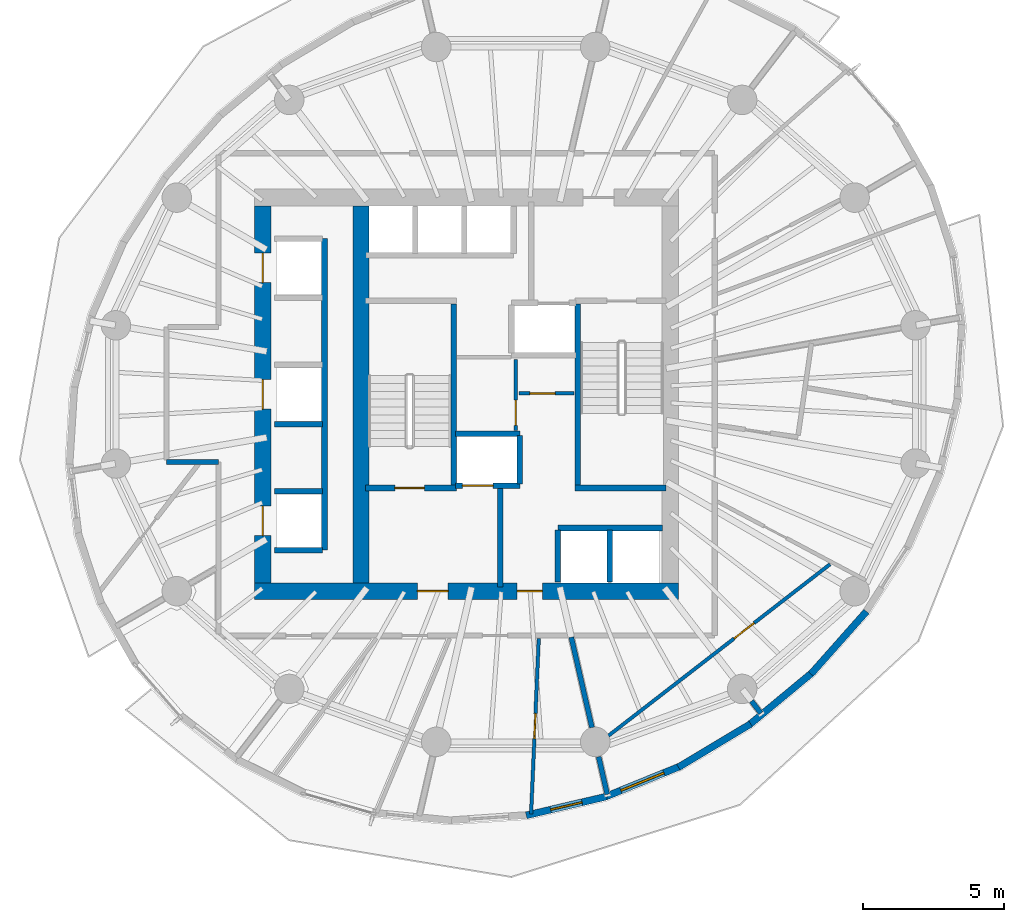
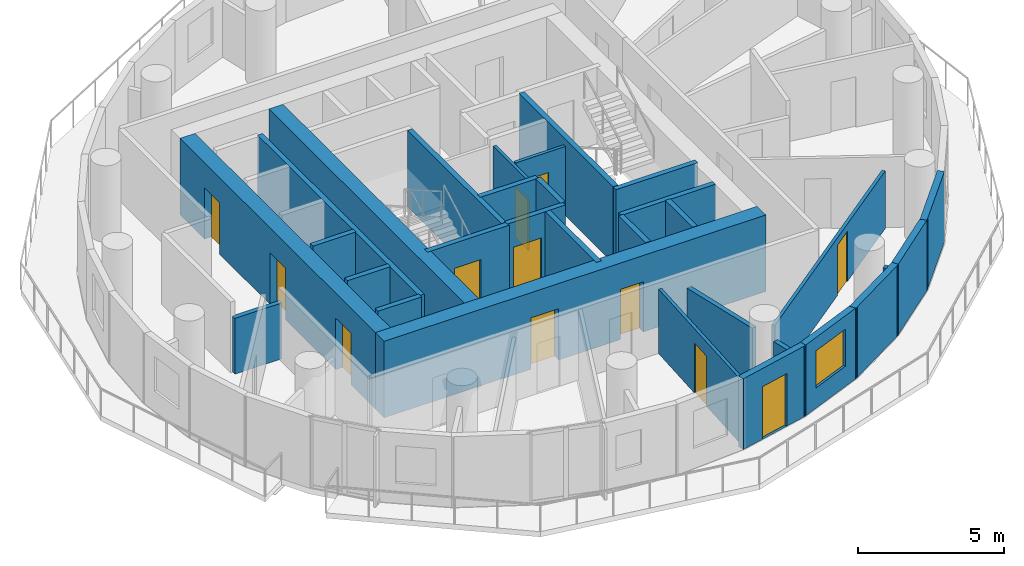
# One storey, part 5 of 12: 31 walls, 12 doors, 1 window, 13 openings.
"""IFC4 building model written with IfcOpenShell, lengths in metres."""

from ifc_helpers import new_model, si_unit, direction, frame, frame_2d, origin, place, context, subcontext, project, spatial, rectangle, extrude, material, layer, layer_set, type_object, element, fill, save


model = new_model("IFC4")

# Units and contexts
model_context = context("Model", 3, precision=1e-05, world=origin(), true_north=direction((0.0, 1.0)))
body_context = subcontext(model_context, "Body", "Model", "MODEL_VIEW")
ifc_project = project(units=[si_unit("LENGTHUNIT", "METRE"), si_unit("AREAUNIT", "SQUARE_METRE"), si_unit("VOLUMEUNIT", "CUBIC_METRE"), si_unit("PLANEANGLEUNIT", "RADIAN"), si_unit("MASSUNIT", "GRAM", prefix="KILO")], contexts=[model_context])

# Site, building, storey
site_placement = place(None, origin())
site = spatial("IfcSite", under=ifc_project, at=site_placement, CompositionType="ELEMENT")
building_placement = place(site_placement, origin())
building = spatial("IfcBuilding", under=site, at=building_placement, Name="Veldorim Arch Residences", CompositionType="ELEMENT")
storey_placement = place(building_placement, frame((0.0, 0.0, 145.760009765625)))
storey = spatial("IfcBuildingStorey", under=building, at=storey_placement, Name="L43", CompositionType="ELEMENT", Elevation=145.760009765625)

# Wall, opening, door
ifc_material_1 = material(Name="Acoustic Gypsum Board", Category="gypsum")
ifc_layer_1 = layer(ifc_material_1, 0.125, Name="Acoustic Stud Room Partition Wall 125")
ifc_layer_set_1 = layer_set([ifc_layer_1], Name="Acoustic Gypsum Board")
wall_type_1 = type_object("IfcWallType", Name="Acoustic Stud Room Partition Wall 125", PredefinedType="PARTITIONING", material=ifc_layer_set_1)
wall_1_placement = place(storey_placement, frame((32.0, 22.719970703125, 0.0), z_axis=(0.0, 0.0, 1.0), x_axis=(0.0, 1.0, 0.0)))
wall_1 = element("IfcWall", 1, at=wall_1_placement, inside=storey, type_object=wall_type_1, Name="L43 interior wall WL-CA-L43-1", PredefinedType="PARTITIONING", context=body_context, shape_type="SweptSolid", body=[
    extrude(rectangle(XDim=2.52001953125, YDim=0.125, at=frame_2d((1.260009765625, 0.0))), origin(), (0.0, 0.0, 1.0), 2.955078125),
])
opening_1_placement = place(wall_1_placement, frame((0.179931640625, 0.0, 0.0)))
opening_1 = element("IfcOpeningElement", 2, at=opening_1_placement, cuts=wall_1, Name="Opening DR-SVC", PredefinedType="OPENING", context=body_context, shape_type="SweptSolid", body=[
    extrude(rectangle(XDim=0.89990234375, YDim=2.10009765625, at=frame_2d((0.449951171875, 1.050048828125))), frame((0.0, 0.072509765625, 0.0), z_axis=(0.0, -1.0, 0.0), x_axis=(1.0, 0.0, 0.0)), (0.0, 0.0, 1.0), 0.14501953125),
])
ifc_material_2 = material(Name="Fire-Rated Steel", Category="steel")
door_type_1 = type_object("IfcDoorType", Name="Riser, Shelter & Plant Room Rated Steel Door 900x2100", OperationType="SINGLE_SWING_LEFT", PredefinedType="DOOR", material=ifc_material_2)
door_1_placement = place(opening_1_placement, origin())
door_1 = element("IfcDoor", 3, at=door_1_placement, inside=storey, type_object=door_type_1, Name="L43 interior door DR-L43-CA2", OperationType="SINGLE_SWING_RIGHT", OverallHeight=2.10009765625, OverallWidth=0.89990234375, PredefinedType="DOOR", context=body_context, shape_type="SweptSolid", body=[
    extrude(rectangle(XDim=0.89990234375, YDim=2.10009765625, at=frame_2d((0.449951171875, 1.050048828125))), frame((0.0, 0.02490234375, 0.0), z_axis=(0.0, -1.0, 0.0), x_axis=(1.0, 0.0, 0.0)), (0.0, 0.0, 1.0), 0.050048828125),
])
fill(opening_1, door_1)

wall_2_placement = place(storey_placement, frame((32.110107421875, 24.0400390625, 0.0), z_axis=(0.0, 0.0, 1.0), x_axis=(1.0, 0.0, 0.0)))
wall_2 = element("IfcWall", 4, at=wall_2_placement, inside=storey, type_object=wall_type_1, Name="L43 interior wall WL-CA-L43-3", PredefinedType="PARTITIONING", context=body_context, shape_type="SweptSolid", body=[
    extrude(rectangle(XDim=1.969970703125, YDim=0.125, at=frame_2d((0.98486328125, 0.0))), origin(), (0.0, 0.0, 1.0), 2.955078125),
])
opening_2_placement = place(wall_2_placement, frame((0.389892578125, 0.0, 0.0)))
opening_2 = element("IfcOpeningElement", 5, at=opening_2_placement, cuts=wall_2, Name="Opening DR-INT", PredefinedType="OPENING", context=body_context, shape_type="SweptSolid", body=[
    extrude(rectangle(XDim=0.89990234375, YDim=2.10009765625, at=frame_2d((0.449951171875, 1.050048828125))), frame((0.0, 0.072509765625, 0.0), z_axis=(0.0, -1.0, 0.0), x_axis=(1.0, 0.0, 0.0)), (0.0, 0.0, 1.0), 0.14501953125),
])
ifc_material_3 = material(Name="Engineered Timber", Category="wood")
door_type_2 = type_object("IfcDoorType", Name="Apartment Internal Room Timber Door 900x2100", OperationType="SINGLE_SWING_LEFT", PredefinedType="DOOR", material=ifc_material_3)
door_2_placement = place(opening_2_placement, origin())
door_2 = element("IfcDoor", 6, at=door_2_placement, inside=storey, type_object=door_type_2, Name="L43 interior door DR-L43-CA1", OperationType="SINGLE_SWING_LEFT", OverallHeight=2.10009765625, OverallWidth=0.89990234375, PredefinedType="DOOR", context=body_context, shape_type="SweptSolid", body=[
    extrude(rectangle(XDim=0.89990234375, YDim=2.10009765625, at=frame_2d((0.449951171875, 1.050048828125))), frame((0.0, 0.02490234375, 0.0), z_axis=(0.0, -1.0, 0.0), x_axis=(1.0, 0.0, 0.0)), (0.0, 0.0, 1.0), 0.050048828125),
])
fill(opening_2, door_2)

wall_3_placement = place(storey_placement, frame((32.82080078125, 15.320068359375, 0.0), z_axis=(0.0, 0.0, 1.0), x_axis=(-0.043813760095, -0.999039716141, 0.0)))
wall_3 = element("IfcWall", 7, at=wall_3_placement, inside=storey, type_object=wall_type_1, Name="L43 interior wall WL-RES-L43-011", PredefinedType="PARTITIONING", context=body_context, shape_type="SweptSolid", body=[
    extrude(rectangle(XDim=6.24658203125, YDim=0.125, at=frame_2d((3.123291015625, 0.0))), origin(), (0.0, 0.0, 1.0), 2.69189453125),
])
opening_3_placement = place(wall_3_placement, frame((2.67333984375, 0.0, 0.0)))
opening_3 = element("IfcOpeningElement", 8, at=opening_3_placement, cuts=wall_3, Name="Opening DR-INT", PredefinedType="OPENING", context=body_context, shape_type="SweptSolid", body=[
    extrude(rectangle(XDim=0.89990234375, YDim=2.10009765625, at=frame_2d((0.449951171875, 1.050048828125))), frame((0.0, 0.072509765625, 0.0), z_axis=(0.0, -1.0, 0.0), x_axis=(1.0, 0.0, 0.0)), (0.0, 0.0, 1.0), 0.14501953125),
])
door_3_placement = place(opening_3_placement, origin())
door_3 = element("IfcDoor", 9, at=door_3_placement, inside=storey, type_object=door_type_2, Name="L43 interior door DR-RES-L43-004", OperationType="SINGLE_SWING_RIGHT", OverallHeight=2.10009765625, OverallWidth=0.89990234375, PredefinedType="DOOR", context=body_context, shape_type="SweptSolid", body=[
    extrude(rectangle(XDim=0.89990234375, YDim=2.10009765625, at=frame_2d((0.449951171875, 1.050048828125))), frame((0.0, 0.02490234375, 0.0), z_axis=(0.0, -1.0, 0.0), x_axis=(1.0, 0.0, 0.0)), (0.0, 0.0, 1.0), 0.050048828125),
])
fill(opening_3, door_3)

wall_4_placement = place(storey_placement, frame((43.18408203125, 17.959716796875, 0.0), z_axis=(0.0, 0.0, 1.0), x_axis=(-0.790862802872, -0.611993486104, 0.0)))
wall_4 = element("IfcWall", 10, at=wall_4_placement, inside=storey, type_object=wall_type_1, Name="L43 interior wall WL-RES-L43-020", PredefinedType="PARTITIONING", context=body_context, shape_type="SweptSolid", body=[
    extrude(rectangle(XDim=9.974853515625, YDim=0.125, at=frame_2d((4.9873046875, 0.0))), origin(), (0.0, 0.0, 1.0), 2.411376953125),
])
opening_4_placement = place(wall_4_placement, frame((3.417236328125, 0.0, 0.0)))
opening_4 = element("IfcOpeningElement", 11, at=opening_4_placement, cuts=wall_4, Name="Opening DR-INT", PredefinedType="OPENING", context=body_context, shape_type="SweptSolid", body=[
    extrude(rectangle(XDim=0.89990234375, YDim=2.10009765625, at=frame_2d((0.449951171875, 1.050048828125))), frame((0.0, 0.072509765625, 0.0), z_axis=(0.0, -1.0, 0.0), x_axis=(1.0, 0.0, 0.0)), (0.0, 0.0, 1.0), 0.14501953125),
])
door_4_placement = place(opening_4_placement, origin())
door_4 = element("IfcDoor", 12, at=door_4_placement, inside=storey, type_object=door_type_2, Name="L43 interior door DR-RES-L43-008", OperationType="SINGLE_SWING_RIGHT", OverallHeight=2.10009765625, OverallWidth=0.89990234375, PredefinedType="DOOR", context=body_context, shape_type="SweptSolid", body=[
    extrude(rectangle(XDim=0.89990234375, YDim=2.10009765625, at=frame_2d((0.449951171875, 1.050048828125))), frame((0.0, 0.02490234375, 0.0), z_axis=(0.0, -1.0, 0.0), x_axis=(1.0, 0.0, 0.0)), (0.0, 0.0, 1.0), 0.050048828125),
])
fill(opening_4, door_4)

# Walls
ifc_material_4 = material(Name="Lightweight Masonry Block & Gypsum", Category="masonry")
ifc_layer_2 = layer(ifc_material_4, 0.179931640625, Name="Compartment & Corridor Fire-Rated Party Wall 180")
ifc_layer_set_2 = layer_set([ifc_layer_2], Name="Lightweight Masonry Block & Gypsum")
wall_type_2 = type_object("IfcWallType", Name="Compartment & Corridor Fire-Rated Party Wall 180", PredefinedType="PARTITIONING", material=ifc_layer_set_2)
wall_5_placement = place(storey_placement, frame((34.950439453125, 11.11083984375, 0.0), z_axis=(0.0, 0.0, 1.0), x_axis=(0.223027623572, -0.974812125039, 0.0)))
element("IfcWall", 13, at=wall_5_placement, inside=storey, type_object=wall_type_2, Name="L43 interior wall WL-PIER-L43-13", PredefinedType="PARTITIONING", context=body_context, shape_type="SweptSolid", body=[
    extrude(rectangle(XDim=1.372802734375, YDim=0.179931640625, at=frame_2d((0.6865234375, 0.0))), origin(), (0.0, 0.0, 1.0), 2.335693359375),
])
wall_6_placement = place(storey_placement, frame((40.387939453125, 13.091552734375, 0.0), z_axis=(0.0, 0.0, 1.0), x_axis=(0.6096676216, -0.792657171275, 0.0)))
element("IfcWall", 14, at=wall_6_placement, inside=storey, type_object=wall_type_2, Name="L43 interior wall WL-PIER-L43-14", PredefinedType="PARTITIONING", context=body_context, shape_type="SweptSolid", body=[
    extrude(rectangle(XDim=0.547119140625, YDim=0.179931640625, at=frame_2d((0.2734375, 0.0))), origin(), (0.0, 0.0, 1.0), 2.335693359375),
])
wall_7_placement = place(storey_placement, frame((21.419921875, 21.60009765625, 0.0), z_axis=(0.0, 0.0, 1.0), x_axis=(-1.0, 0.0, 0.0)))
element("IfcWall", 15, at=wall_7_placement, inside=storey, type_object=wall_type_2, Name="L43 interior wall WL-RES-L43-006", PredefinedType="PARTITIONING", context=body_context, shape_type="SweptSolid", body=[
    extrude(rectangle(XDim=1.849853515625, YDim=0.179931640625, at=frame_2d((0.9248046875, 0.0))), origin(), (0.0, 0.0, 1.0), 2.335693359375),
])
wall_8_placement = place(storey_placement, frame((33.977294921875, 15.361572265625, 0.0), z_axis=(0.0, 0.0, 1.0), x_axis=(0.22319287001, -0.974774303506, 0.0)))
element("IfcWall", 16, at=wall_8_placement, inside=storey, type_object=wall_type_2, Name="L43 interior wall WL-RES-L43-014", PredefinedType="PARTITIONING", context=body_context, shape_type="SweptSolid", body=[
    extrude(rectangle(XDim=3.2958984375, YDim=0.179931640625, at=frame_2d((1.64794921875, 0.0))), origin(), (0.0, 0.0, 1.0), 2.335693359375),
])
ifc_material_5 = material(Name="Concrete C50/60", Category="concrete")
ifc_layer_3 = layer(ifc_material_5, 0.199951171875, Name="Core Stair & Lift Shaft Enclosure Wall 200")
ifc_layer_set_3 = layer_set([ifc_layer_3], Name="Concrete C50/60")
wall_type_3 = type_object("IfcWallType", Name="Core Stair & Lift Shaft Enclosure Wall 200", PredefinedType="SHEAR", material=ifc_layer_set_3)
wall_9_placement = place(storey_placement, frame((29.7900390625, 20.780029296875, 0.0), z_axis=(0.0, 0.0, 1.0), x_axis=(0.0, 1.0, 0.0)))
element("IfcWall", 17, at=wall_9_placement, inside=storey, type_object=wall_type_3, Name="L43 shaft wall WL-SHF-L43-ST1-E", PredefinedType="SHEAR", context=body_context, shape_type="SweptSolid", body=[
    extrude(rectangle(XDim=6.43994140625, YDim=0.199951171875, at=frame_2d((3.219970703125, 0.0))), origin(), (0.0, 0.0, 1.0), 3.199951171875),
])

# Wall, opening, door
wall_10_placement = place(storey_placement, frame((26.64990234375, 20.669921875, 0.0), z_axis=(0.0, 0.0, 1.0), x_axis=(1.0, 0.0, 0.0)))
wall_10 = element("IfcWall", 18, at=wall_10_placement, inside=storey, type_object=wall_type_3, Name="L43 shaft wall WL-SHF-L43-ST1-S", PredefinedType="SHEAR", context=body_context, shape_type="SweptSolid", body=[
    extrude(rectangle(XDim=3.239990234375, YDim=0.199951171875, at=frame_2d((1.6201171875, 0.0))), origin(), (0.0, 0.0, 1.0), 3.199951171875),
])
opening_5_placement = place(wall_10_placement, frame((1.054931640625, 0.0, 0.0)))
opening_5 = element("IfcOpeningElement", 19, at=opening_5_placement, cuts=wall_10, Name="Opening DR-ST", PredefinedType="OPENING", context=body_context, shape_type="SweptSolid", body=[
    extrude(rectangle(XDim=1.050048828125, YDim=2.14990234375, at=frame_2d((0.52490234375, 1.074951171875))), frame((0.0, 0.10986328125, 0.0), z_axis=(0.0, -1.0, 0.0), x_axis=(1.0, 0.0, 0.0)), (0.0, 0.0, 1.0), 0.219970703125),
])
ifc_material_6 = material(Name="Fire-Rated Steel", Category="steel")
door_type_3 = type_object("IfcDoorType", Name="Exit Staircase Self-Closing Fire Door 1050x2150", OperationType="SINGLE_SWING_LEFT", PredefinedType="DOOR", material=ifc_material_6)
door_5_placement = place(opening_5_placement, origin())
door_5 = element("IfcDoor", 20, at=door_5_placement, inside=storey, type_object=door_type_3, Name="L43 interior door DR-L43-ST1", OperationType="SINGLE_SWING_LEFT", OverallHeight=2.14990234375, OverallWidth=1.050048828125, PredefinedType="DOOR", context=body_context, shape_type="SweptSolid", body=[
    extrude(rectangle(XDim=1.050048828125, YDim=2.14990234375, at=frame_2d((0.52490234375, 1.074951171875))), frame((0.0, 0.02490234375, 0.0), z_axis=(0.0, -1.0, 0.0), x_axis=(1.0, 0.0, 0.0)), (0.0, 0.0, 1.0), 0.050048828125),
])
fill(opening_5, door_5)

# Walls
wall_11_placement = place(storey_placement, frame((34.2099609375, 20.780029296875, 0.0), z_axis=(0.0, 0.0, 1.0), x_axis=(0.0, 1.0, 0.0)))
element("IfcWall", 21, at=wall_11_placement, inside=storey, type_object=wall_type_3, Name="L43 shaft wall WL-SHF-L43-ST2-W", PredefinedType="SHEAR", context=body_context, shape_type="SweptSolid", body=[
    extrude(rectangle(XDim=6.43994140625, YDim=0.199951171875, at=frame_2d((3.219970703125, 0.0))), origin(), (0.0, 0.0, 1.0), 3.199951171875),
])
wall_12_placement = place(storey_placement, frame((34.110107421875, 20.669921875, 0.0), z_axis=(0.0, 0.0, 1.0), x_axis=(1.0, 0.0, 0.0)))
element("IfcWall", 22, at=wall_12_placement, inside=storey, type_object=wall_type_3, Name="L43 shaft wall WL-SHF-L43-ST2-S", PredefinedType="SHEAR", context=body_context, shape_type="SweptSolid", body=[
    extrude(rectangle(XDim=3.239990234375, YDim=0.199951171875, at=frame_2d((1.6201171875, 0.0))), origin(), (0.0, 0.0, 1.0), 3.199951171875),
])
wall_13_placement = place(storey_placement, frame((31.449951171875, 17.14990234375, 0.0), z_axis=(0.0, 0.0, 1.0), x_axis=(0.0, 1.0, 0.0)))
element("IfcWall", 23, at=wall_13_placement, inside=storey, type_object=wall_type_3, Name="L43 shaft wall WL-FFL1-L43-E", PredefinedType="SHEAR", context=body_context, shape_type="SweptSolid", body=[
    extrude(rectangle(XDim=3.5, YDim=0.199951171875, at=frame_2d((1.75, 0.0))), origin(), (0.0, 0.0, 1.0), 3.199951171875),
])

# Wall, opening, door
wall_14_placement = place(storey_placement, frame((29.85009765625, 20.75, 0.0), z_axis=(0.0, 0.0, 1.0), x_axis=(1.0, 0.0, 0.0)))
wall_14 = element("IfcWall", 24, at=wall_14_placement, inside=storey, type_object=wall_type_3, Name="L43 shaft wall WL-FL01-L43-S", PredefinedType="SHEAR", context=body_context, shape_type="SweptSolid", body=[
    extrude(rectangle(XDim=2.2998046875, YDim=0.199951171875, at=frame_2d((1.14990234375, 0.0))), origin(), (0.0, 0.0, 1.0), 3.199951171875),
])
opening_6_placement = place(wall_14_placement, frame((0.25, 0.0, 0.0)))
opening_6 = element("IfcOpeningElement", 25, at=opening_6_placement, cuts=wall_14, Name="Opening LD-FF", PredefinedType="OPENING", context=body_context, shape_type="SweptSolid", body=[
    extrude(rectangle(XDim=1.10009765625, YDim=2.14990234375, at=frame_2d((0.550048828125, 1.074951171875))), frame((0.0, 0.10986328125, 0.0), z_axis=(0.0, -1.0, 0.0), x_axis=(1.0, 0.0, 0.0)), (0.0, 0.0, 1.0), 0.219970703125),
])
ifc_material_7 = material(Name="Stainless Steel", Category="steel")
door_type_4 = type_object("IfcDoorType", Name="Firefighting Lift Bi-Parting Sliding Landing Door 1100x2150", OperationType="DOUBLE_DOOR_SLIDING", PredefinedType="DOOR", material=ifc_material_7)
door_6_placement = place(opening_6_placement, origin())
door_6 = element("IfcDoor", 26, at=door_6_placement, inside=storey, type_object=door_type_4, Name="L43 lift landing door LD-L43-FL01", OperationType="DOUBLE_DOOR_SLIDING", OverallHeight=2.14990234375, OverallWidth=1.10009765625, PredefinedType="DOOR", context=body_context, shape_type="SweptSolid", body=[
    extrude(rectangle(XDim=1.10009765625, YDim=2.14990234375, at=frame_2d((0.550048828125, 1.074951171875))), frame((0.0, 0.02490234375, 0.0), z_axis=(0.0, -1.0, 0.0), x_axis=(1.0, 0.0, 0.0)), (0.0, 0.0, 1.0), 0.050048828125),
])
fill(opening_6, door_6)

# Walls
wall_15_placement = place(storey_placement, frame((29.85009765625, 22.60009765625, 0.0), z_axis=(0.0, 0.0, 1.0), x_axis=(1.0, 0.0, 0.0)))
element("IfcWall", 27, at=wall_15_placement, inside=storey, type_object=wall_type_3, Name="L43 shaft wall WL-FL01-L43-N", PredefinedType="SHEAR", context=body_context, shape_type="SweptSolid", body=[
    extrude(rectangle(XDim=2.2998046875, YDim=0.199951171875, at=frame_2d((1.14990234375, 0.0))), origin(), (0.0, 0.0, 1.0), 3.199951171875),
])
wall_16_placement = place(storey_placement, frame((32.14990234375, 20.820068359375, 0.0), z_axis=(0.0, 0.0, 1.0), x_axis=(0.0, 1.0, 0.0)))
element("IfcWall", 28, at=wall_16_placement, inside=storey, type_object=wall_type_3, Name="L43 shaft wall WL-FL01-L43-E", PredefinedType="SHEAR", context=body_context, shape_type="SweptSolid", body=[
    extrude(rectangle(XDim=1.7099609375, YDim=0.199951171875, at=frame_2d((0.85498046875, 0.0))), origin(), (0.0, 0.0, 1.0), 3.199951171875),
])
wall_17_placement = place(storey_placement, frame((25.199951171875, 18.4599609375, 0.0), z_axis=(0.0, 0.0, 1.0), x_axis=(0.0, 1.0, 0.0)))
element("IfcWall", 29, at=wall_17_placement, inside=storey, type_object=wall_type_3, Name="L43 shaft wall WL-B2-L43-E", PredefinedType="SHEAR", context=body_context, shape_type="SweptSolid", body=[
    extrude(rectangle(XDim=11.080078125, YDim=0.199951171875, at=frame_2d((5.5400390625, 0.0))), origin(), (0.0, 0.0, 1.0), 3.199951171875),
])
for number, where, z_axis, x_axis, name in (
    (30, (23.419921875, 18.4599609375, 0.0), (0.0, 0.0, 1.0), (1.0, 0.0, 0.0), "L43 shaft wall WL-B2-L43-S"),
    (31, (23.419921875, 20.56005859375, 0.0), (0.0, 0.0, 1.0), (1.0, 0.0, 0.0), "L43 shaft wall WL-B2-L43-D1A"),
    (32, (23.419921875, 22.93994140625, 0.0), (0.0, 0.0, 1.0), (1.0, 0.0, 0.0), "L43 shaft wall WL-B2-L43-D1B"),
):
    element("IfcWall", number, at=place(storey_placement, frame(where, z_axis=z_axis, x_axis=x_axis)), inside=storey, type_object=wall_type_3, Name=name, PredefinedType="SHEAR", context=body_context, shape_type="SweptSolid", body=[
        extrude(rectangle(XDim=1.7099609375, YDim=0.199951171875, at=frame_2d((0.85498046875, 0.0))), origin(), (0.0, 0.0, 1.0), 3.199951171875),
    ])
wall_18_placement = place(storey_placement, frame((33.5, 19.25, 0.0), z_axis=(0.0, 0.0, 1.0), x_axis=(1.0, 0.0, 0.0)))
element("IfcWall", 33, at=wall_18_placement, inside=storey, type_object=wall_type_3, Name="L43 shaft wall WL-OL-L43-N", PredefinedType="SHEAR", context=body_context, shape_type="SweptSolid", body=[
    extrude(rectangle(XDim=3.719970703125, YDim=0.199951171875, at=frame_2d((1.85986328125, 0.0))), origin(), (0.0, 0.0, 1.0), 3.199951171875),
])
for number, where, z_axis, x_axis, name in (
    (34, (33.5, 17.320068359375, 0.0), (0.0, 0.0, 1.0), (0.0, 1.0, 0.0), "L43 shaft wall WL-OL-L43-W"),
    (35, (35.35009765625, 17.320068359375, 0.0), (0.0, 0.0, 1.0), (0.0, 1.0, 0.0), "L43 shaft wall WL-OL-L43-D1"),
):
    element("IfcWall", number, at=place(storey_placement, frame(where, z_axis=z_axis, x_axis=x_axis)), inside=storey, type_object=wall_type_3, Name=name, PredefinedType="SHEAR", context=body_context, shape_type="SweptSolid", body=[
        extrude(rectangle(XDim=1.85986328125, YDim=0.199951171875, at=frame_2d((0.929931640625, 0.0))), origin(), (0.0, 0.0, 1.0), 3.199951171875),
    ])

# Wall, openings, doors
ifc_material_8 = material(Name="Concrete C50/60", Category="concrete")
ifc_layer_4 = layer(ifc_material_8, 0.60009765625, Name="Mid-Upper Central Core Shear Wall 600")
ifc_layer_set_4 = layer_set([ifc_layer_4], Name="Concrete C50/60")
wall_type_4 = type_object("IfcWallType", Name="Mid-Upper Central Core Shear Wall 600", PredefinedType="SHEAR", material=ifc_layer_set_4)
wall_19_placement = place(storey_placement, frame((22.699951171875, 17.0, 0.0), z_axis=(0.0, 0.0, 1.0), x_axis=(1.0, 0.0, 0.0)))
wall_19 = element("IfcWall", 36, at=wall_19_placement, inside=storey, type_object=wall_type_4, Name="L43 central core south shear wall", PredefinedType="SHEAR", context=body_context, shape_type="SweptSolid", body=[
    extrude(rectangle(XDim=15.10009765625, YDim=0.60009765625, at=frame_2d((7.550048828125, 0.0))), origin(), (0.0, 0.0, 1.0), 3.199951171875),
])
opening_7_placement = place(wall_19_placement, frame((5.800048828125, 0.0, 0.0)))
opening_7 = element("IfcOpeningElement", 37, at=opening_7_placement, cuts=wall_19, Name="Opening DR-FFL", PredefinedType="OPENING", context=body_context, shape_type="SweptSolid", body=[
    extrude(rectangle(XDim=1.10009765625, YDim=2.14990234375, at=frame_2d((0.550048828125, 1.074951171875))), frame((0.0, 0.31005859375, 0.0), z_axis=(0.0, -1.0, 0.0), x_axis=(1.0, 0.0, 0.0)), (0.0, 0.0, 1.0), 0.6201171875),
])
opening_8_placement = place(wall_19_placement, frame((9.35009765625, 0.0, 0.0)))
opening_8 = element("IfcOpeningElement", 38, at=opening_8_placement, cuts=wall_19, Name="Opening DR-SVC", PredefinedType="OPENING", context=body_context, shape_type="SweptSolid", body=[
    extrude(rectangle(XDim=0.89990234375, YDim=2.10009765625, at=frame_2d((0.449951171875, 1.050048828125))), frame((0.0, 0.31005859375, 0.0), z_axis=(0.0, -1.0, 0.0), x_axis=(1.0, 0.0, 0.0)), (0.0, 0.0, 1.0), 0.6201171875),
])
ifc_material_9 = material(Name="Fire-Rated Steel & Vision Glass", Category="steel")
door_type_5 = type_object("IfcDoorType", Name="Firefighting Lobby Smoke-Stop Fire Door 1100x2150", OperationType="SINGLE_SWING_LEFT", PredefinedType="DOOR", material=ifc_material_9)
door_7_placement = place(opening_7_placement, origin())
door_7 = element("IfcDoor", 39, at=door_7_placement, inside=storey, type_object=door_type_5, Name="L43 interior door DR-L43-FFL1", OperationType="SINGLE_SWING_RIGHT", OverallHeight=2.14990234375, OverallWidth=1.10009765625, PredefinedType="DOOR", context=body_context, shape_type="SweptSolid", body=[
    extrude(rectangle(XDim=1.10009765625, YDim=2.14990234375, at=frame_2d((0.550048828125, 1.074951171875))), frame((0.0, 0.02490234375, 0.0), z_axis=(0.0, -1.0, 0.0), x_axis=(1.0, 0.0, 0.0)), (0.0, 0.0, 1.0), 0.050048828125),
])
fill(opening_7, door_7)
door_8_placement = place(opening_8_placement, origin())
door_8 = element("IfcDoor", 40, at=door_8_placement, inside=storey, type_object=door_type_1, Name="L43 interior door DR-L43-COR-ANC", OperationType="SINGLE_SWING_LEFT", OverallHeight=2.10009765625, OverallWidth=0.89990234375, PredefinedType="DOOR", context=body_context, shape_type="SweptSolid", body=[
    extrude(rectangle(XDim=0.89990234375, YDim=2.10009765625, at=frame_2d((0.449951171875, 1.050048828125))), frame((0.0, 0.02490234375, 0.0), z_axis=(0.0, -1.0, 0.0), x_axis=(1.0, 0.0, 0.0)), (0.0, 0.0, 1.0), 0.050048828125),
])
fill(opening_8, door_8)

wall_20_placement = place(storey_placement, frame((23.0, 17.300048828125, 0.0), z_axis=(0.0, 0.0, 1.0), x_axis=(0.0, 1.0, 0.0)))
wall_20 = element("IfcWall", 41, at=wall_20_placement, inside=storey, type_object=wall_type_4, Name="L43 central core west shear wall", PredefinedType="SHEAR", context=body_context, shape_type="SweptSolid", body=[
    extrude(rectangle(XDim=13.39990234375, YDim=0.60009765625, at=frame_2d((6.699951171875, 0.0))), origin(), (0.0, 0.0, 1.0), 3.199951171875),
])
opening_9_placement = place(wall_20_placement, frame((1.675048828125, 0.0, 0.0)))
opening_9 = element("IfcOpeningElement", 42, at=opening_9_placement, cuts=wall_20, Name="Opening LD-PS", PredefinedType="OPENING", context=body_context, shape_type="SweptSolid", body=[
    extrude(rectangle(XDim=1.050048828125, YDim=2.14990234375, at=frame_2d((0.52490234375, 1.074951171875))), frame((0.0, 0.31005859375, 0.0), z_axis=(0.0, -1.0, 0.0), x_axis=(1.0, 0.0, 0.0)), (0.0, 0.0, 1.0), 0.6201171875),
])
opening_10_placement = place(wall_20_placement, frame((6.175048828125, 0.0, 0.0)))
opening_10 = element("IfcOpeningElement", 43, at=opening_10_placement, cuts=wall_20, Name="Opening LD-PS", PredefinedType="OPENING", context=body_context, shape_type="SweptSolid", body=[
    extrude(rectangle(XDim=1.050048828125, YDim=2.14990234375, at=frame_2d((0.52490234375, 1.074951171875))), frame((0.0, 0.31005859375, 0.0), z_axis=(0.0, -1.0, 0.0), x_axis=(1.0, 0.0, 0.0)), (0.0, 0.0, 1.0), 0.6201171875),
])
opening_11_placement = place(wall_20_placement, frame((10.675048828125, 0.0, 0.0)))
opening_11 = element("IfcOpeningElement", 44, at=opening_11_placement, cuts=wall_20, Name="Opening LD-PS", PredefinedType="OPENING", context=body_context, shape_type="SweptSolid", body=[
    extrude(rectangle(XDim=1.050048828125, YDim=2.14990234375, at=frame_2d((0.52490234375, 1.074951171875))), frame((0.0, 0.31005859375, 0.0), z_axis=(0.0, -1.0, 0.0), x_axis=(1.0, 0.0, 0.0)), (0.0, 0.0, 1.0), 0.6201171875),
])
ifc_material_10 = material(Name="Stainless Steel", Category="steel")
door_type_6 = type_object("IfcDoorType", Name="Passenger Lift Bi-Parting Sliding Landing Door 1050x2150", OperationType="DOUBLE_DOOR_SLIDING", PredefinedType="DOOR", material=ifc_material_10)
door_9_placement = place(opening_9_placement, origin())
door_9 = element("IfcDoor", 45, at=door_9_placement, inside=storey, type_object=door_type_6, Name="L43 lift landing door LD-L43-PL-05", OperationType="DOUBLE_DOOR_SLIDING", OverallHeight=2.14990234375, OverallWidth=1.050048828125, PredefinedType="DOOR", context=body_context, shape_type="SweptSolid", body=[
    extrude(rectangle(XDim=1.050048828125, YDim=2.14990234375, at=frame_2d((0.52490234375, 1.074951171875))), frame((0.0, 0.02490234375, 0.0), z_axis=(0.0, -1.0, 0.0), x_axis=(1.0, 0.0, 0.0)), (0.0, 0.0, 1.0), 0.050048828125),
])
fill(opening_9, door_9)
door_10_placement = place(opening_10_placement, origin())
door_10 = element("IfcDoor", 46, at=door_10_placement, inside=storey, type_object=door_type_6, Name="L43 lift landing door LD-L43-PL-06", OperationType="DOUBLE_DOOR_SLIDING", OverallHeight=2.14990234375, OverallWidth=1.050048828125, PredefinedType="DOOR", context=body_context, shape_type="SweptSolid", body=[
    extrude(rectangle(XDim=1.050048828125, YDim=2.14990234375, at=frame_2d((0.52490234375, 1.074951171875))), frame((0.0, 0.02490234375, 0.0), z_axis=(0.0, -1.0, 0.0), x_axis=(1.0, 0.0, 0.0)), (0.0, 0.0, 1.0), 0.050048828125),
])
fill(opening_10, door_10)
door_11_placement = place(opening_11_placement, origin())
door_11 = element("IfcDoor", 47, at=door_11_placement, inside=storey, type_object=door_type_6, Name="L43 lift landing door LD-L43-PL-07", OperationType="DOUBLE_DOOR_SLIDING", OverallHeight=2.14990234375, OverallWidth=1.050048828125, PredefinedType="DOOR", context=body_context, shape_type="SweptSolid", body=[
    extrude(rectangle(XDim=1.050048828125, YDim=2.14990234375, at=frame_2d((0.52490234375, 1.074951171875))), frame((0.0, 0.02490234375, 0.0), z_axis=(0.0, -1.0, 0.0), x_axis=(1.0, 0.0, 0.0)), (0.0, 0.0, 1.0), 0.050048828125),
])
fill(opening_11, door_11)

# Wall, opening, door
ifc_material_11 = material(Name="Precast concrete C40/50", Category="concrete")
ifc_layer_5 = layer(ifc_material_11, 0.25, Name="Tower Terracotta Spandrel & Pier Wall 250")
ifc_layer_set_5 = layer_set([ifc_layer_5], Name="Precast concrete C40/50")
wall_type_5 = type_object("IfcWallType", Name="Tower Terracotta Spandrel & Pier Wall 250", PredefinedType="SOLIDWALL", material=ifc_layer_set_5)
wall_21_placement = place(storey_placement, frame((35.233154296875, 9.694580078125, 0.0), z_axis=(0.0, 0.0, 1.0), x_axis=(-0.973538048261, -0.228524984602, 0.0)))
wall_21 = element("IfcWall", 48, at=wall_21_placement, inside=storey, type_object=wall_type_5, Name="L43 terracotta facade wall 25", PredefinedType="SOLIDWALL", context=body_context, shape_type="SweptSolid", body=[
    extrude(rectangle(XDim=2.936767578125, YDim=0.25, at=frame_2d((1.46826171875, 0.0))), origin(), (0.0, 0.0, 1.0), 2.9599609375),
])
opening_12_placement = place(wall_21_placement, frame((0.89306640625, 0.0, 0.0)))
opening_12 = element("IfcOpeningElement", 49, at=opening_12_placement, cuts=wall_21, Name="Opening BL-DR", PredefinedType="OPENING", context=body_context, shape_type="SweptSolid", body=[
    extrude(rectangle(XDim=1.14990234375, YDim=2.199951171875, at=frame_2d((0.574951171875, 1.10009765625))), frame((0.0, 0.135009765625, 0.0), z_axis=(0.0, -1.0, 0.0), x_axis=(1.0, 0.0, 0.0)), (0.0, 0.0, 1.0), 0.27001953125),
])
ifc_material_12 = material(Name="Aluminium & Low-E Glass", Category="aluminium")
door_type_7 = type_object("IfcDoorType", Name="Glazed Planted Balcony Door 1150x2200", OperationType="SINGLE_SWING_LEFT", PredefinedType="DOOR", material=ifc_material_12)
door_12_placement = place(opening_12_placement, origin())
door_12 = element("IfcDoor", 50, at=door_12_placement, inside=storey, type_object=door_type_7, Name="L43 glazed outdoor terrace door BALC-2", OperationType="SINGLE_SWING_LEFT", OverallHeight=2.199951171875, OverallWidth=1.14990234375, PredefinedType="DOOR", context=body_context, shape_type="SweptSolid", body=[
    extrude(rectangle(XDim=1.14990234375, YDim=2.199951171875, at=frame_2d((0.574951171875, 1.10009765625))), frame((0.0, 0.02490234375, 0.0), z_axis=(0.0, -1.0, 0.0), x_axis=(1.0, 0.0, 0.0)), (0.0, 0.0, 1.0), 0.050048828125),
])
fill(opening_12, door_12)

# Wall, opening, window
wall_22_placement = place(storey_placement, frame((37.885986328125, 10.78466796875, 0.0), z_axis=(0.0, 0.0, 1.0), x_axis=(-0.926076439021, -0.377335963154, 0.0)))
wall_22 = element("IfcWall", 51, at=wall_22_placement, inside=storey, type_object=wall_type_5, Name="L43 terracotta facade wall 26", PredefinedType="SOLIDWALL", context=body_context, shape_type="SweptSolid", body=[
    extrude(rectangle(XDim=2.976806640625, YDim=0.25, at=frame_2d((1.48828125, 0.0))), origin(), (0.0, 0.0, 1.0), 2.9599609375),
])
opening_13_placement = place(wall_22_placement, frame((0.6640625, 0.0, 0.85009765625)))
opening_13 = element("IfcOpeningElement", 52, at=opening_13_placement, cuts=wall_22, Name="Opening WN-03", PredefinedType="OPENING", context=body_context, shape_type="SweptSolid", body=[
    extrude(rectangle(XDim=1.64990234375, YDim=1.550048828125, at=frame_2d((0.824951171875, 0.77490234375))), frame((0.0, 0.135009765625, 0.0), z_axis=(0.0, -1.0, 0.0), x_axis=(1.0, 0.0, 0.0)), (0.0, 0.0, 1.0), 0.27001953125),
])
ifc_material_13 = material(Name="Laminated Low-E Glass", Category="glass")
window_type = type_object("IfcWindowType", Name="Residential Wide Window 1650x1550", PartitioningType="SINGLE_PANEL", PredefinedType="WINDOW", material=ifc_material_13)
window_placement = place(opening_13_placement, origin())
window = element("IfcWindow", 53, at=window_placement, inside=storey, type_object=window_type, Name="L43 solar-control facade window 26", OverallHeight=1.550048828125, OverallWidth=1.64990234375, PartitioningType="SINGLE_PANEL", PredefinedType="WINDOW", context=body_context, shape_type="SweptSolid", body=[
    extrude(rectangle(XDim=1.64990234375, YDim=1.550048828125, at=frame_2d((0.824951171875, 0.77490234375))), frame((0.0, 0.030029296875, 0.0), z_axis=(0.0, -1.0, 0.0), x_axis=(1.0, 0.0, 0.0)), (0.0, 0.0, 1.0), 0.06005859375),
])
fill(opening_13, window)

# Walls
for number, where, z_axis, x_axis, name in (
    (54, (40.36083984375, 12.277099609375, 0.0), (0.0, 0.0, 1.0), (-0.857816062946, -0.513956809617, 0.0), "L43 terracotta facade wall 27"),
    (55, (42.581298828125, 14.126708984375, 0.0), (0.0, 0.0, 1.0), (-0.77019983048, -0.637802650613, 0.0), "L43 terracotta facade wall 28"),
):
    element("IfcWall", number, at=place(storey_placement, frame(where, z_axis=z_axis, x_axis=x_axis)), inside=storey, type_object=wall_type_5, Name=name, PredefinedType="SOLIDWALL", context=body_context, shape_type="SweptSolid", body=[
        extrude(rectangle(XDim=2.998291015625, YDim=0.25, at=frame_2d((1.4990234375, 0.0))), origin(), (0.0, 0.0, 1.0), 2.9599609375),
    ])
wall_23_placement = place(storey_placement, frame((44.479736328125, 16.277099609375, 0.0), z_axis=(0.0, 0.0, 1.0), x_axis=(-0.664002369324, -0.747730468506, 0.0)))
element("IfcWall", 56, at=wall_23_placement, inside=storey, type_object=wall_type_5, Name="L43 terracotta facade wall 29", PredefinedType="SOLIDWALL", context=body_context, shape_type="SweptSolid", body=[
    extrude(rectangle(XDim=2.97705078125, YDim=0.25, at=frame_2d((1.488525390625, 0.0))), origin(), (0.0, 0.0, 1.0), 2.9599609375),
])
ifc_material_14 = material(Name="Concrete C50/60", Category="concrete")
ifc_layer_6 = layer(ifc_material_14, 0.56005859375, Name="Upper Internal Core Shear Web Wall 560")
ifc_layer_set_6 = layer_set([ifc_layer_6], Name="Concrete C50/60")
wall_type_6 = type_object("IfcWallType", Name="Upper Internal Core Shear Web Wall 560", PredefinedType="SHEAR", material=ifc_layer_set_6)
wall_24_placement = place(storey_placement, frame((26.5, 17.300048828125, 0.0), z_axis=(0.0, 0.0, 1.0), x_axis=(0.0, 1.0, 0.0)))
element("IfcWall", 57, at=wall_24_placement, inside=storey, type_object=wall_type_6, Name="L43 core west internal shear web", PredefinedType="SHEAR", context=body_context, shape_type="SweptSolid", body=[
    extrude(rectangle(XDim=13.39990234375, YDim=0.56005859375, at=frame_2d((6.699951171875, 0.0))), origin(), (0.0, 0.0, 1.0), 3.199951171875),
])

save(model, "model.ifc")
